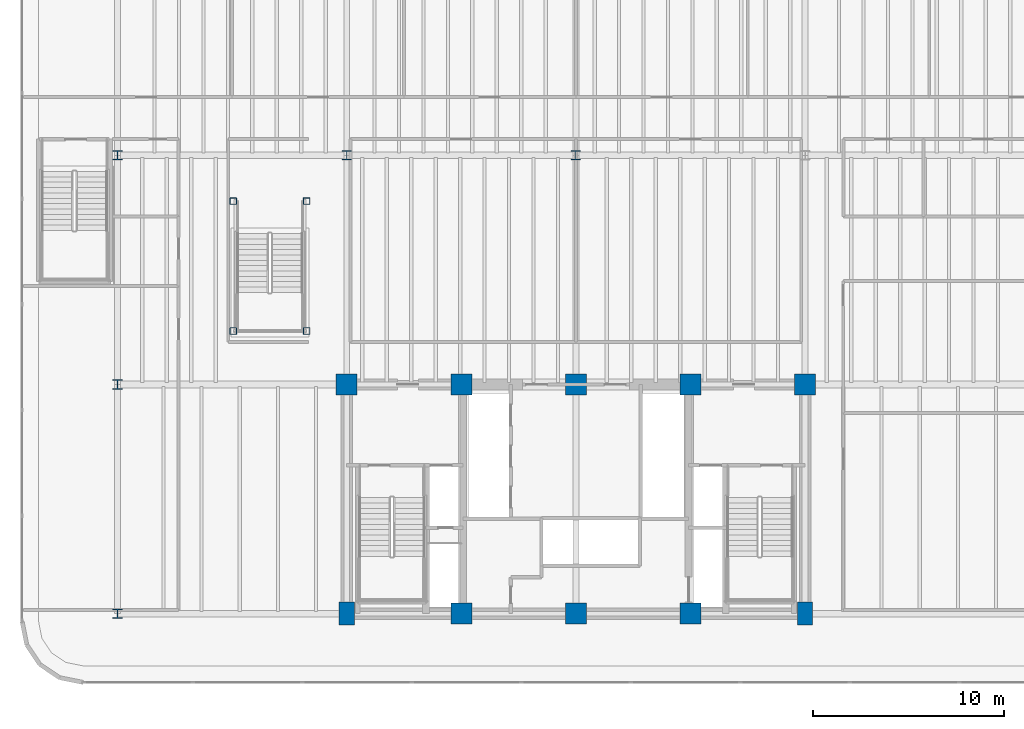
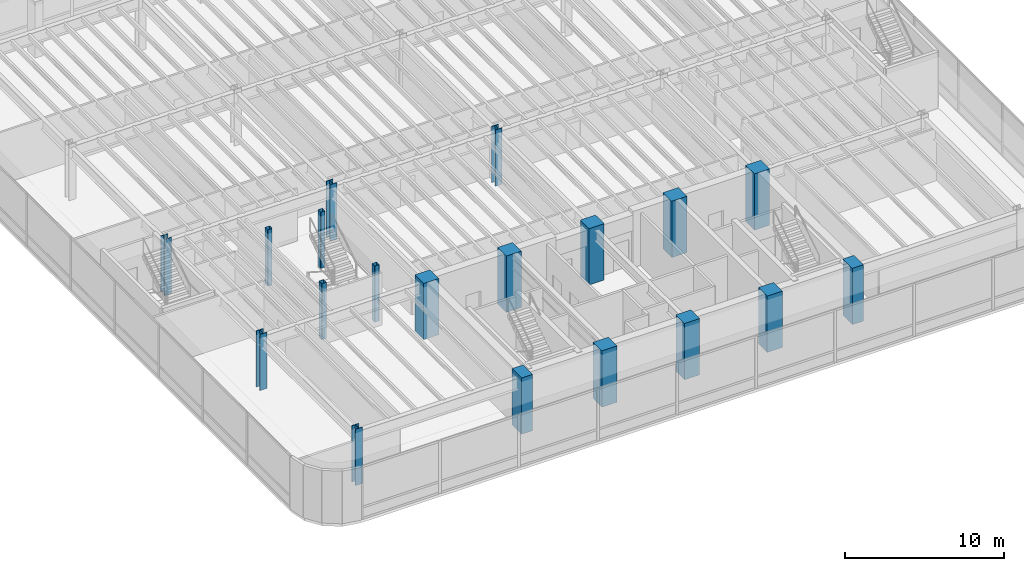
# One storey, part 1 of 18: 19 columns.
"""IFC4 building model written with IfcOpenShell, lengths in metres."""

import ifcopenshell
import ifcopenshell.guid

model = None  # the IFC model being written
_history = None  # IfcOwnerHistory: only IFC2X3 demands one
_inside = {}  # id of a spatial element -> (the spatial element, [elements in it])
_under = {}  # id of a project, library or spatial element -> (it, [spatial elements below it])
_declared = {}  # id of a project -> (the project, [libraries it declares])
_typed = {}  # id of a type object -> (the type object, [elements of that type])
_made_of = {}  # id of a material, layer set ... -> (it, [elements and type objects made of it])


def new_model(schema):
    """Start an empty IFC model of exactly this schema.

    Asked for "IFC4X3", IfcOpenShell would pick the latest addendum, in which some entities
    have other attributes; the version numbers below select the first issue.
    IFC2X3 requires an IfcOwnerHistory on every rooted entity: one is made here for all.
    """
    global model, _history
    if schema == "IFC4X3":
        model = ifcopenshell.file(schema_version=(4, 3, 0, 0))
    else:
        model = ifcopenshell.file(schema=schema)
    _inside.clear()
    _under.clear()
    _declared.clear()
    _typed.clear()
    _made_of.clear()
    _history = None
    if model.schema == "IFC2X3":
        org = make("IfcOrganization", Name="unknown")
        user = make(
            "IfcPersonAndOrganization",
            ThePerson=make("IfcPerson", FamilyName="unknown"),
            TheOrganization=org,
        )
        app = make(
            "IfcApplication",
            ApplicationDeveloper=org,
            Version="unknown",
            ApplicationFullName="unknown",
            ApplicationIdentifier="unknown",
        )
        _history = make(
            "IfcOwnerHistory",
            OwningUser=user,
            OwningApplication=app,
            ChangeAction="ADDED",
            CreationDate=0,
        )
    return model


def make(cls, **values):
    """One entity of the class cls with the attributes given. An attribute that is None is left unset."""
    return model.create_entity(
        cls, **{name: value for name, value in values.items() if value is not None}
    )


def rooted(cls, **values):
    """An entity with a GlobalId (a new one), such as an element, a storey or a relation."""
    return make(cls, GlobalId=ifcopenshell.guid.new(), OwnerHistory=_history, **values)


def si_unit(unit_type, name, prefix=None):
    """IfcSIUnit, for example si_unit("LENGTHUNIT", "METRE", prefix="MILLI")."""
    return make("IfcSIUnit", UnitType=unit_type, Prefix=prefix, Name=name)


def assignment(units):
    """IfcUnitAssignment: the units of a project."""
    return None if units is None else make("IfcUnitAssignment", Units=units)


def point(xyz):
    """IfcCartesianPoint."""
    return None if xyz is None else make("IfcCartesianPoint", Coordinates=xyz)


def direction(xyz):
    """IfcDirection."""
    return None if xyz is None else make("IfcDirection", DirectionRatios=xyz)


def frame(location, z_axis=None, x_axis=None):
    """IfcAxis2Placement3D, a coordinate frame: its origin and axes. An axis left out is left unset."""
    return make(
        "IfcAxis2Placement3D",
        Location=point(location),
        Axis=direction(z_axis),
        RefDirection=direction(x_axis),
    )


def frame_2d(location, x_axis=None):
    """IfcAxis2Placement2D, a coordinate frame in the plane: its origin and x axis."""
    return make(
        "IfcAxis2Placement2D", Location=point(location), RefDirection=direction(x_axis)
    )


def origin():
    """The frame at (0, 0, 0) with its axes left unset."""
    return frame((0.0, 0.0, 0.0))


def origin_2d():
    """The frame at (0, 0) in the plane with its x axis left unset."""
    return frame_2d((0.0, 0.0))


def place(relative_to, where):
    """IfcLocalPlacement: puts the frame where relative to a parent placement (None: the world)."""
    return make(
        "IfcLocalPlacement", PlacementRelTo=relative_to, RelativePlacement=where
    )


def context(
    kind, dimensions, precision=None, world=None, true_north=None, identifier=None
):
    """IfcGeometricRepresentationContext, for example the 3D "Model" context."""
    return make(
        "IfcGeometricRepresentationContext",
        ContextIdentifier=identifier,
        ContextType=kind,
        CoordinateSpaceDimension=dimensions,
        Precision=precision,
        WorldCoordinateSystem=world,
        TrueNorth=true_north,
    )


def subcontext(parent, identifier, kind, view, scale=None):
    """IfcGeometricRepresentationSubContext, for example "Body" below "Model"."""
    return make(
        "IfcGeometricRepresentationSubContext",
        ContextIdentifier=identifier,
        ContextType=kind,
        ParentContext=parent,
        TargetScale=scale,
        TargetView=view,
    )


def project(units=None, contexts=None):
    """IfcProject with its units and contexts."""
    return rooted(
        "IfcProject",
        Name="project",
        RepresentationContexts=contexts,
        UnitsInContext=assignment(units),
    )


def spatial(cls, under=None, at=None, **own):
    """A site, building, storey or space (cls), placed at a placement, below another one or the project."""
    s = rooted(cls, ObjectPlacement=at, **own)
    if under is not None:
        _under.setdefault(under.id(), (under, []))[1].append(s)
    return s


def profile(cls, at=None, kind="AREA", **sizes):
    """A parametric profile (cls). Its sizes go by their IFC names, for example OverallWidth=200.0."""
    return make(cls, ProfileType=kind, Position=at, **sizes)


def rectangle(**sizes):
    """IfcRectangleProfileDef."""
    return profile("IfcRectangleProfileDef", **sizes)


def hollow_rectangle(**sizes):
    """IfcRectangleHollowProfileDef."""
    return profile("IfcRectangleHollowProfileDef", **sizes)


def i_section(**sizes):
    """IfcIShapeProfileDef."""
    return profile("IfcIShapeProfileDef", **sizes)


def extrude(swept, where, along, depth):
    """IfcExtrudedAreaSolid: the profile swept, set in the frame where, extruded along a direction by depth."""
    return make(
        "IfcExtrudedAreaSolid",
        SweptArea=swept,
        Position=where,
        ExtrudedDirection=direction(along),
        Depth=depth,
    )


def shape(context_of_items, identifier, shape_type, items):
    """IfcShapeRepresentation: the items that make up one representation, for example the "Body"."""
    return make(
        "IfcShapeRepresentation",
        ContextOfItems=context_of_items,
        RepresentationIdentifier=identifier,
        RepresentationType=shape_type,
        Items=items,
    )


def source(mapping_origin, context_of_items, identifier, shape_type, items):
    """IfcRepresentationMap: a shape defined once, which mapped items show again and again."""
    return make(
        "IfcRepresentationMap",
        MappingOrigin=mapping_origin,
        MappedRepresentation=shape(context_of_items, identifier, shape_type, items),
    )


def transform(
    local_origin,
    x_axis=None,
    y_axis=None,
    z_axis=None,
    scale=None,
    scale2=None,
    scale3=None,
    uniform=True,
):
    """IfcCartesianTransformationOperator3D, or its non-uniform kind. x_axis, y_axis, z_axis: its Axis1, 2, 3."""
    if uniform:
        return make(
            "IfcCartesianTransformationOperator3D",
            Axis1=direction(x_axis),
            Axis2=direction(y_axis),
            LocalOrigin=point(local_origin),
            Scale=scale,
            Axis3=direction(z_axis),
        )
    return make(
        "IfcCartesianTransformationOperator3DnonUniform",
        Axis1=direction(x_axis),
        Axis2=direction(y_axis),
        LocalOrigin=point(local_origin),
        Scale=scale,
        Axis3=direction(z_axis),
        Scale2=scale2,
        Scale3=scale3,
    )


def mapped(mapping_source, mapping_target):
    """IfcMappedItem: shows the shape of a source again, moved by a transform."""
    return make(
        "IfcMappedItem", MappingSource=mapping_source, MappingTarget=mapping_target
    )


def material(Name=None, Category=None):
    """IfcMaterial."""
    return make("IfcMaterial", Name=Name, Category=Category)


def material_profile(
    of_material, cross_section, Name=None, Category=None, Priority=None
):
    """IfcMaterialProfile: a cross section and its material."""
    return make(
        "IfcMaterialProfile",
        Name=Name,
        Material=of_material,
        Profile=cross_section,
        Priority=Priority,
        Category=Category,
    )


def profile_set(profiles, Name=None, composite=None):
    """IfcMaterialProfileSet."""
    return make(
        "IfcMaterialProfileSet",
        Name=Name,
        MaterialProfiles=profiles,
        CompositeProfile=composite,
    )


def made_of(thing, what):
    """Note that an element or type object is made of a material, layer set ...; save() writes the relation."""
    if what is not None:
        _made_of.setdefault(what.id(), (what, []))[1].append(thing)
    return thing


def type_object(cls, material=None, **own):
    """A type object (cls), such as IfcWallType, which elements share."""
    return made_of(rooted(cls, **own), material)


def element(
    cls,
    number,
    at=None,
    inside=None,
    cuts=None,
    type_object=None,
    material=None,
    context=None,
    identifier="Body",
    shape_type=None,
    held_by="IfcProductDefinitionShape",
    body=None,
    shapes=None,
    **own,
):
    """One element of the class cls, such as IfcWall. Its Tag is "e" and its number.

    at: its placement. inside: the storey or other place that contains it. cuts: it is an
    opening in that element (IfcRelVoidsElement). A single representation is given by context,
    identifier, shape_type and body (its items); several are given by shapes. held_by: the class
    of the entity that holds the representations. save() writes the other relations.
    """
    e = rooted(cls, Tag="e%d" % number, ObjectPlacement=at, **own)
    if body is not None:
        shapes = [shape(context, identifier, shape_type, body)]
    if shapes is not None:
        e.Representation = make(held_by, Representations=shapes)
    if inside is not None:
        _inside.setdefault(inside.id(), (inside, []))[1].append(e)
    if cuts is not None:
        rooted(
            "IfcRelVoidsElement", RelatingBuildingElement=cuts, RelatedOpeningElement=e
        )
    if type_object is not None:
        _typed.setdefault(type_object.id(), (type_object, []))[1].append(e)
    return made_of(e, material)


def aggregate(whole, parts):
    """IfcRelAggregates: a whole, such as a stair, and the parts it consists of."""
    return rooted("IfcRelAggregates", RelatingObject=whole, RelatedObjects=parts)


def save(model, path):
    """Write the relations noted so far, then the file.

    IfcRelAggregates (storeys below a building ...), IfcRelContainedInSpatialStructure (elements
    in a storey), IfcRelDefinesByType, IfcRelAssociatesMaterial and IfcRelDeclares: one each for
    every whole, place, type object, material and project.
    """
    for whole, parts in _under.values():
        aggregate(whole, parts)
    for where, things in _inside.values():
        rooted(
            "IfcRelContainedInSpatialStructure",
            RelatedElements=things,
            RelatingStructure=where,
        )
    for kind, things in _typed.values():
        rooted("IfcRelDefinesByType", RelatedObjects=things, RelatingType=kind)
    for what, things in _made_of.values():
        rooted("IfcRelAssociatesMaterial", RelatedObjects=things, RelatingMaterial=what)
    for by, libraries in _declared.values():
        rooted("IfcRelDeclares", RelatingContext=by, RelatedDefinitions=libraries)
    model.write(path)


model = new_model("IFC4")

# Units and contexts
model_context = context("Model", 3, precision=1e-05, world=origin(), true_north=direction((0.0, 1.0)))
body_context = subcontext(model_context, "Body", "Model", "MODEL_VIEW")
ifc_project = project(units=[si_unit("LENGTHUNIT", "METRE"), si_unit("AREAUNIT", "SQUARE_METRE"), si_unit("VOLUMEUNIT", "CUBIC_METRE"), si_unit("PLANEANGLEUNIT", "RADIAN"), si_unit("MASSUNIT", "GRAM", prefix="KILO")], contexts=[model_context])

# Site, building, storey
site_placement = place(None, origin())
site = spatial("IfcSite", under=ifc_project, at=site_placement, CompositionType="ELEMENT")
building_placement = place(site_placement, origin())
building = spatial("IfcBuilding", under=site, at=building_placement, Name="Brelvock Crest Care Tower", CompositionType="ELEMENT")
storey_placement = place(building_placement, frame((0.0, 0.0, 5.39990234375)))
storey = spatial("IfcBuildingStorey", under=building, at=storey_placement, Name="L01", CompositionType="ELEMENT", Elevation=5.39990234375)

# Columns
ifc_material_1 = material(Name="Concrete S80 (80 MPa)", Category="concrete")
ifc_material_profile_1 = material_profile(ifc_material_1, rectangle(XDim=0.800048828125, YDim=1.199951171875, at=origin_2d()), Name="RC800x1200")
ifc_profile_set_1 = profile_set([ifc_material_profile_1], Name="Concrete S80 (80 MPa)")
column_type_1 = type_object("IfcColumnType", Name="COL-RC5", PredefinedType="COLUMN", material=ifc_profile_set_1)
shared_shape_1 = source(origin(), body_context, "Body", "SweptSolid", [
    extrude(rectangle(XDim=0.800048828125, YDim=1.199951171875, at=origin_2d()), origin(), (0.0, 0.0, 1.0), 4.320068359375),
])
for number, where, z_axis, x_axis, name in (
    (1, (24.0, 6.0, 0.0), (0.0, 0.0, 1.0), (1.0, 0.0, 0.0), "L01 Core Column CC-01"),
    (2, (48.0, 6.0, 0.0), (0.0, 0.0, 1.0), (1.0, 0.0, 0.0), "L01 Core Column CC-05"),
):
    element("IfcColumn", number, at=place(storey_placement, frame(where, z_axis=z_axis, x_axis=x_axis)), inside=storey, type_object=column_type_1, Name=name, PredefinedType="COLUMN", context=body_context, shape_type="MappedRepresentation", body=[
        mapped(shared_shape_1, transform((0.0, 0.0, 0.0), x_axis=(1.0, 0.0, 0.0), y_axis=(0.0, 1.0, 0.0), z_axis=(0.0, 0.0, 1.0), scale=1.0)),
    ])
ifc_material_profile_2 = material_profile(ifc_material_1, rectangle(XDim=1.10009765625, YDim=1.10009765625, at=origin_2d()), Name="RC1100x1100")
ifc_profile_set_2 = profile_set([ifc_material_profile_2], Name="Concrete S80 (80 MPa)")
column_type_2 = type_object("IfcColumnType", Name="COL-RC1", PredefinedType="COLUMN", material=ifc_profile_set_2)
shared_shape_2 = source(origin(), body_context, "Body", "SweptSolid", [
    extrude(rectangle(XDim=1.10009765625, YDim=1.10009765625, at=origin_2d()), origin(), (0.0, 0.0, 1.0), 4.320068359375),
])
for number, where, z_axis, x_axis, name in (
    (3, (30.0, 6.0, 0.0), (0.0, 0.0, 1.0), (1.0, 0.0, 0.0), "L01 Core Column CC-02"),
    (4, (36.0, 6.0, 0.0), (0.0, 0.0, 1.0), (1.0, 0.0, 0.0), "L01 Core Column CC-03"),
    (5, (42.0, 6.0, 0.0), (0.0, 0.0, 1.0), (1.0, 0.0, 0.0), "L01 Core Column CC-04"),
    (6, (24.0, 18.0, 0.0), (0.0, 0.0, 1.0), (1.0, 0.0, 0.0), "L01 Core Column CC-06"),
    (7, (30.0, 18.0, 0.0), (0.0, 0.0, 1.0), (1.0, 0.0, 0.0), "L01 Core Column CC-07"),
    (8, (36.0, 18.0, 0.0), (0.0, 0.0, 1.0), (1.0, 0.0, 0.0), "L01 Core Column CC-08"),
    (9, (42.0, 18.0, 0.0), (0.0, 0.0, 1.0), (1.0, 0.0, 0.0), "L01 Core Column CC-09"),
    (10, (48.0, 18.0, 0.0), (0.0, 0.0, 1.0), (1.0, 0.0, 0.0), "L01 Core Column CC-10"),
):
    element("IfcColumn", number, at=place(storey_placement, frame(where, z_axis=z_axis, x_axis=x_axis)), inside=storey, type_object=column_type_2, Name=name, PredefinedType="COLUMN", context=body_context, shape_type="MappedRepresentation", body=[
        mapped(shared_shape_2, transform((0.0, 0.0, 0.0), x_axis=(1.0, 0.0, 0.0), y_axis=(0.0, 1.0, 0.0), z_axis=(0.0, 0.0, 1.0), scale=1.0)),
    ])
ifc_material_2 = material(Name="Steel Grade 350", Category="steel")
ifc_material_profile_3 = material_profile(ifc_material_2, i_section(OverallWidth=0.5, OverallDepth=0.5, WebThickness=0.028076171875, FlangeThickness=0.044921875, at=origin_2d()), Name="500WC440")
ifc_profile_set_3 = profile_set([ifc_material_profile_3], Name="Steel Grade 350")
column_type_3 = type_object("IfcColumnType", Name="COL-PC1", PredefinedType="COLUMN", material=ifc_profile_set_3)
shared_shape_3 = source(origin(), body_context, "Body", "SweptSolid", [
    extrude(i_section(OverallWidth=0.5, OverallDepth=0.5, WebThickness=0.028076171875, FlangeThickness=0.044921875, at=origin_2d()), origin(), (0.0, 0.0, 1.0), 4.320068359375),
])
for number, where, z_axis, x_axis, name in (
    (11, (12.0, 6.0, 0.0), (0.0, 0.0, 1.0), (1.0, 0.0, 0.0), "L01 Podium Column PC-01"),
    (12, (12.0, 18.0, 0.0), (0.0, 0.0, 1.0), (1.0, 0.0, 0.0), "L01 Podium Column PC-03"),
    (13, (12.0, 30.0, 0.0), (0.0, 0.0, 1.0), (1.0, 0.0, 0.0), "L01 Podium Column PC-05"),
    (14, (24.0, 30.0, 0.0), (0.0, 0.0, 1.0), (1.0, 0.0, 0.0), "L01 Podium Column PC-06"),
    (15, (36.0, 30.0, 0.0), (0.0, 0.0, 1.0), (1.0, 0.0, 0.0), "L01 Podium Column PC-07"),
):
    element("IfcColumn", number, at=place(storey_placement, frame(where, z_axis=z_axis, x_axis=x_axis)), inside=storey, type_object=column_type_3, Name=name, PredefinedType="COLUMN", context=body_context, shape_type="MappedRepresentation", body=[
        mapped(shared_shape_3, transform((0.0, 0.0, 0.0), x_axis=(1.0, 0.0, 0.0), y_axis=(0.0, 1.0, 0.0), z_axis=(0.0, 0.0, 1.0), scale=1.0)),
    ])
ifc_material_profile_4 = material_profile(ifc_material_2, hollow_rectangle(XDim=0.35009765625, YDim=0.35009765625, WallThickness=0.01611328125, OuterFilletRadius=0.031982421875, at=origin_2d()), Name="SHS350x350x16.0")
ifc_profile_set_4 = profile_set([ifc_material_profile_4], Name="Steel Grade 350")
column_type_4 = type_object("IfcColumnType", Name="COL-CR2", PredefinedType="COLUMN", material=ifc_profile_set_4)
shared_shape_4 = source(origin(), body_context, "Body", "SweptSolid", [
    extrude(hollow_rectangle(XDim=0.35009765625, YDim=0.35009765625, WallThickness=0.01611328125, OuterFilletRadius=0.031982421875, at=origin_2d()), origin(), (0.0, 0.0, 1.0), 4.320068359375),
])
for number, where, z_axis, x_axis, name in (
    (16, (18.06005859375, 20.800048828125, 0.0), (0.0, 0.0, 1.0), (1.0, 0.0, 0.0), "L01 Atrium Stair ST-5 Support Post SW"),
    (17, (21.89990234375, 20.800048828125, 0.0), (0.0, 0.0, 1.0), (1.0, 0.0, 0.0), "L01 Atrium Stair ST-5 Support Post SE"),
    (18, (18.06005859375, 27.60009765625, 0.0), (0.0, 0.0, 1.0), (1.0, 0.0, 0.0), "L01 Atrium Stair ST-5 Support Post NW"),
    (19, (21.89990234375, 27.60009765625, 0.0), (0.0, 0.0, 1.0), (1.0, 0.0, 0.0), "L01 Atrium Stair ST-5 Support Post NE"),
):
    element("IfcColumn", number, at=place(storey_placement, frame(where, z_axis=z_axis, x_axis=x_axis)), inside=storey, type_object=column_type_4, Name=name, PredefinedType="COLUMN", context=body_context, shape_type="MappedRepresentation", body=[
        mapped(shared_shape_4, transform((0.0, 0.0, 0.0), x_axis=(1.0, 0.0, 0.0), y_axis=(0.0, 1.0, 0.0), z_axis=(0.0, 0.0, 1.0), scale=1.0)),
    ])

save(model, "model.ifc")
